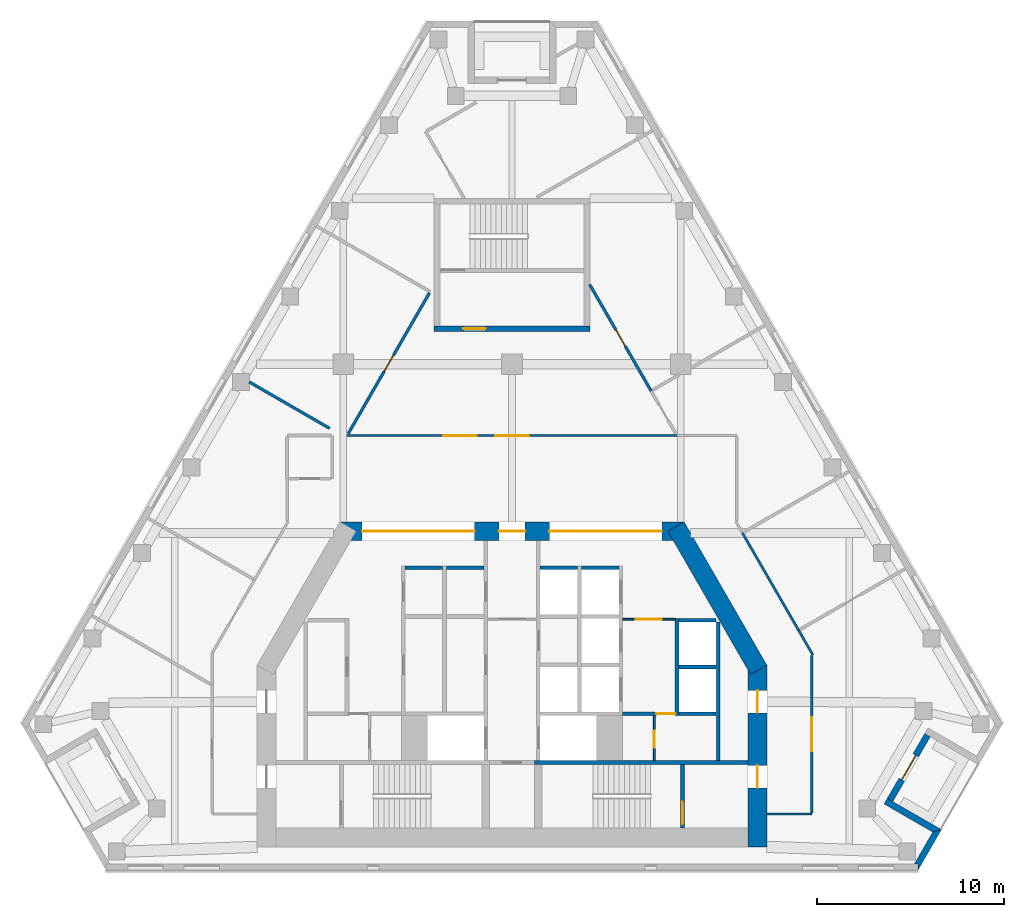
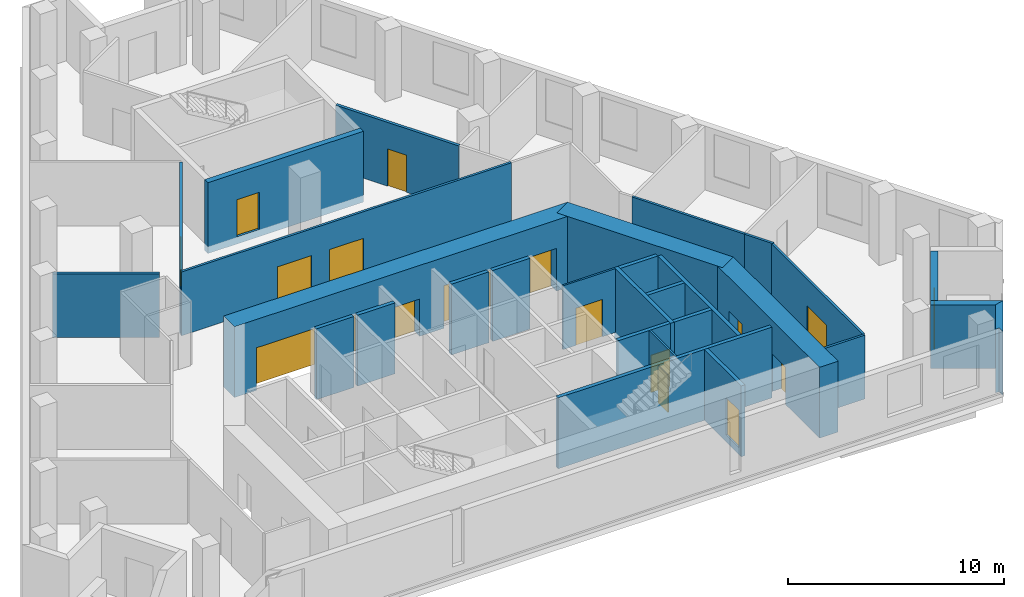
# One storey, part 4 of 7: 29 walls, 16 doors, 16 openings.
"""IFC4 building model written with IfcOpenShell, lengths in metres."""

import ifcopenshell
import ifcopenshell.guid

model = None  # the IFC model being written
_history = None  # IfcOwnerHistory: only IFC2X3 demands one
_inside = {}  # id of a spatial element -> (the spatial element, [elements in it])
_under = {}  # id of a project, library or spatial element -> (it, [spatial elements below it])
_declared = {}  # id of a project -> (the project, [libraries it declares])
_typed = {}  # id of a type object -> (the type object, [elements of that type])
_made_of = {}  # id of a material, layer set ... -> (it, [elements and type objects made of it])


def new_model(schema):
    """Start an empty IFC model of exactly this schema.

    Asked for "IFC4X3", IfcOpenShell would pick the latest addendum, in which some entities
    have other attributes; the version numbers below select the first issue.
    IFC2X3 requires an IfcOwnerHistory on every rooted entity: one is made here for all.
    """
    global model, _history
    if schema == "IFC4X3":
        model = ifcopenshell.file(schema_version=(4, 3, 0, 0))
    else:
        model = ifcopenshell.file(schema=schema)
    _inside.clear()
    _under.clear()
    _declared.clear()
    _typed.clear()
    _made_of.clear()
    _history = None
    if model.schema == "IFC2X3":
        org = make("IfcOrganization", Name="unknown")
        user = make(
            "IfcPersonAndOrganization",
            ThePerson=make("IfcPerson", FamilyName="unknown"),
            TheOrganization=org,
        )
        app = make(
            "IfcApplication",
            ApplicationDeveloper=org,
            Version="unknown",
            ApplicationFullName="unknown",
            ApplicationIdentifier="unknown",
        )
        _history = make(
            "IfcOwnerHistory",
            OwningUser=user,
            OwningApplication=app,
            ChangeAction="ADDED",
            CreationDate=0,
        )
    return model


def make(cls, **values):
    """One entity of the class cls with the attributes given. An attribute that is None is left unset."""
    return model.create_entity(
        cls, **{name: value for name, value in values.items() if value is not None}
    )


def rooted(cls, **values):
    """An entity with a GlobalId (a new one), such as an element, a storey or a relation."""
    return make(cls, GlobalId=ifcopenshell.guid.new(), OwnerHistory=_history, **values)


def si_unit(unit_type, name, prefix=None):
    """IfcSIUnit, for example si_unit("LENGTHUNIT", "METRE", prefix="MILLI")."""
    return make("IfcSIUnit", UnitType=unit_type, Prefix=prefix, Name=name)


def assignment(units):
    """IfcUnitAssignment: the units of a project."""
    return None if units is None else make("IfcUnitAssignment", Units=units)


def point(xyz):
    """IfcCartesianPoint."""
    return None if xyz is None else make("IfcCartesianPoint", Coordinates=xyz)


def direction(xyz):
    """IfcDirection."""
    return None if xyz is None else make("IfcDirection", DirectionRatios=xyz)


def frame(location, z_axis=None, x_axis=None):
    """IfcAxis2Placement3D, a coordinate frame: its origin and axes. An axis left out is left unset."""
    return make(
        "IfcAxis2Placement3D",
        Location=point(location),
        Axis=direction(z_axis),
        RefDirection=direction(x_axis),
    )


def frame_2d(location, x_axis=None):
    """IfcAxis2Placement2D, a coordinate frame in the plane: its origin and x axis."""
    return make(
        "IfcAxis2Placement2D", Location=point(location), RefDirection=direction(x_axis)
    )


def origin():
    """The frame at (0, 0, 0) with its axes left unset."""
    return frame((0.0, 0.0, 0.0))


def place(relative_to, where):
    """IfcLocalPlacement: puts the frame where relative to a parent placement (None: the world)."""
    return make(
        "IfcLocalPlacement", PlacementRelTo=relative_to, RelativePlacement=where
    )


def context(
    kind, dimensions, precision=None, world=None, true_north=None, identifier=None
):
    """IfcGeometricRepresentationContext, for example the 3D "Model" context."""
    return make(
        "IfcGeometricRepresentationContext",
        ContextIdentifier=identifier,
        ContextType=kind,
        CoordinateSpaceDimension=dimensions,
        Precision=precision,
        WorldCoordinateSystem=world,
        TrueNorth=true_north,
    )


def subcontext(parent, identifier, kind, view, scale=None):
    """IfcGeometricRepresentationSubContext, for example "Body" below "Model"."""
    return make(
        "IfcGeometricRepresentationSubContext",
        ContextIdentifier=identifier,
        ContextType=kind,
        ParentContext=parent,
        TargetScale=scale,
        TargetView=view,
    )


def project(units=None, contexts=None):
    """IfcProject with its units and contexts."""
    return rooted(
        "IfcProject",
        Name="project",
        RepresentationContexts=contexts,
        UnitsInContext=assignment(units),
    )


def spatial(cls, under=None, at=None, **own):
    """A site, building, storey or space (cls), placed at a placement, below another one or the project."""
    s = rooted(cls, ObjectPlacement=at, **own)
    if under is not None:
        _under.setdefault(under.id(), (under, []))[1].append(s)
    return s


def polyline(points):
    """IfcPolyline through the points."""
    return make("IfcPolyline", Points=[point(p) for p in points])


def profile(cls, at=None, kind="AREA", **sizes):
    """A parametric profile (cls). Its sizes go by their IFC names, for example OverallWidth=200.0."""
    return make(cls, ProfileType=kind, Position=at, **sizes)


def rectangle(**sizes):
    """IfcRectangleProfileDef."""
    return profile("IfcRectangleProfileDef", **sizes)


def outline(outer, holes=None, kind="AREA"):
    """IfcArbitraryClosedProfileDef: a profile drawn as a closed curve; with holes, ...WithVoids."""
    if holes is None:
        return make("IfcArbitraryClosedProfileDef", ProfileType=kind, OuterCurve=outer)
    return make(
        "IfcArbitraryProfileDefWithVoids",
        ProfileType=kind,
        OuterCurve=outer,
        InnerCurves=holes,
    )


def extrude(swept, where, along, depth):
    """IfcExtrudedAreaSolid: the profile swept, set in the frame where, extruded along a direction by depth."""
    return make(
        "IfcExtrudedAreaSolid",
        SweptArea=swept,
        Position=where,
        ExtrudedDirection=direction(along),
        Depth=depth,
    )


def shape(context_of_items, identifier, shape_type, items):
    """IfcShapeRepresentation: the items that make up one representation, for example the "Body"."""
    return make(
        "IfcShapeRepresentation",
        ContextOfItems=context_of_items,
        RepresentationIdentifier=identifier,
        RepresentationType=shape_type,
        Items=items,
    )


def material(Name=None, Category=None):
    """IfcMaterial."""
    return make("IfcMaterial", Name=Name, Category=Category)


def layer(
    of_material, thickness, ventilated=None, Name=None, Category=None, Priority=None
):
    """IfcMaterialLayer: one layer of a wall or slab, of a material (None: an air gap)."""
    return make(
        "IfcMaterialLayer",
        Material=of_material,
        LayerThickness=thickness,
        IsVentilated=ventilated,
        Name=Name,
        Category=Category,
        Priority=Priority,
    )


def layer_set(layers, Name=None):
    """IfcMaterialLayerSet."""
    return make("IfcMaterialLayerSet", MaterialLayers=layers, LayerSetName=Name)


def made_of(thing, what):
    """Note that an element or type object is made of a material, layer set ...; save() writes the relation."""
    if what is not None:
        _made_of.setdefault(what.id(), (what, []))[1].append(thing)
    return thing


def type_object(cls, material=None, **own):
    """A type object (cls), such as IfcWallType, which elements share."""
    return made_of(rooted(cls, **own), material)


def element(
    cls,
    number,
    at=None,
    inside=None,
    cuts=None,
    type_object=None,
    material=None,
    context=None,
    identifier="Body",
    shape_type=None,
    held_by="IfcProductDefinitionShape",
    body=None,
    shapes=None,
    **own,
):
    """One element of the class cls, such as IfcWall. Its Tag is "e" and its number.

    at: its placement. inside: the storey or other place that contains it. cuts: it is an
    opening in that element (IfcRelVoidsElement). A single representation is given by context,
    identifier, shape_type and body (its items); several are given by shapes. held_by: the class
    of the entity that holds the representations. save() writes the other relations.
    """
    e = rooted(cls, Tag="e%d" % number, ObjectPlacement=at, **own)
    if body is not None:
        shapes = [shape(context, identifier, shape_type, body)]
    if shapes is not None:
        e.Representation = make(held_by, Representations=shapes)
    if inside is not None:
        _inside.setdefault(inside.id(), (inside, []))[1].append(e)
    if cuts is not None:
        rooted(
            "IfcRelVoidsElement", RelatingBuildingElement=cuts, RelatedOpeningElement=e
        )
    if type_object is not None:
        _typed.setdefault(type_object.id(), (type_object, []))[1].append(e)
    return made_of(e, material)


def fill(opening, filler):
    """IfcRelFillsElement: the door or window that sits in an opening."""
    return rooted(
        "IfcRelFillsElement",
        RelatingOpeningElement=opening,
        RelatedBuildingElement=filler,
    )


def aggregate(whole, parts):
    """IfcRelAggregates: a whole, such as a stair, and the parts it consists of."""
    return rooted("IfcRelAggregates", RelatingObject=whole, RelatedObjects=parts)


def save(model, path):
    """Write the relations noted so far, then the file.

    IfcRelAggregates (storeys below a building ...), IfcRelContainedInSpatialStructure (elements
    in a storey), IfcRelDefinesByType, IfcRelAssociatesMaterial and IfcRelDeclares: one each for
    every whole, place, type object, material and project.
    """
    for whole, parts in _under.values():
        aggregate(whole, parts)
    for where, things in _inside.values():
        rooted(
            "IfcRelContainedInSpatialStructure",
            RelatedElements=things,
            RelatingStructure=where,
        )
    for kind, things in _typed.values():
        rooted("IfcRelDefinesByType", RelatedObjects=things, RelatingType=kind)
    for what, things in _made_of.values():
        rooted("IfcRelAssociatesMaterial", RelatedObjects=things, RelatingMaterial=what)
    for by, libraries in _declared.values():
        rooted("IfcRelDeclares", RelatingContext=by, RelatedDefinitions=libraries)
    model.write(path)


model = new_model("IFC4")

# Units and contexts
model_context = context("Model", 3, precision=1e-05, world=origin(), true_north=direction((0.0, 1.0)))
body_context = subcontext(model_context, "Body", "Model", "MODEL_VIEW")
ifc_project = project(units=[si_unit("LENGTHUNIT", "METRE"), si_unit("AREAUNIT", "SQUARE_METRE"), si_unit("VOLUMEUNIT", "CUBIC_METRE"), si_unit("PLANEANGLEUNIT", "RADIAN"), si_unit("MASSUNIT", "GRAM", prefix="KILO")], contexts=[model_context])

# Site, building, storey
site_placement = place(None, origin())
site = spatial("IfcSite", under=ifc_project, at=site_placement, CompositionType="ELEMENT")
building_placement = place(site_placement, origin())
building = spatial("IfcBuilding", under=site, at=building_placement, Name="Fogline Exchange Tower", CompositionType="ELEMENT")
storey_placement = place(building_placement, frame((0.0, 0.0, 247.5)))
storey = spatial("IfcBuildingStorey", under=building, at=storey_placement, Name="L56", CompositionType="ELEMENT", Elevation=247.5)

# Wall, opening, door
ifc_material_1 = material(Name="Blockwork partition", Category="masonry")
ifc_layer_1 = layer(ifc_material_1, 0.10009765625)
ifc_layer_set_1 = layer_set([ifc_layer_1], Name="CW10")
wall_type_1 = type_object("IfcWallType", Name="CW10", PredefinedType="PARTITIONING", material=ifc_layer_set_1)
wall_1_placement = place(storey_placement, frame((5.89990234375, 13.39990234375, 0.0), z_axis=(0.0, 0.0, 1.0), x_axis=(1.0, 0.0, 0.0)))
wall_1 = element("IfcWall", 1, at=wall_1_placement, inside=storey, type_object=wall_type_1, Name="Lift lobby partition", PredefinedType="PARTITIONING", context=body_context, shape_type="SweptSolid", body=[
    extrude(rectangle(XDim=2.800048828125, YDim=0.10009765625, at=frame_2d((1.39990234375, 0.0))), origin(), (0.0, 0.0, 1.0), 3.60009765625),
])
opening_1_placement = place(wall_1_placement, frame((0.699951171875, 0.0, 0.0)))
opening_1 = element("IfcOpeningElement", 2, at=opening_1_placement, cuts=wall_1, Name="Opening T18-C013", PredefinedType="OPENING", context=body_context, shape_type="SweptSolid", body=[
    extrude(rectangle(XDim=1.39990234375, YDim=2.10009765625, at=frame_2d((0.699951171875, 1.050048828125))), frame((0.0, 0.06005859375, 0.0), z_axis=(0.0, -1.0, 0.0), x_axis=(1.0, 0.0, 0.0)), (0.0, 0.0, 1.0), 0.1201171875),
])
ifc_material_2 = material(Name="Steel and timber fire door", Category="steel")
door_type_1 = type_object("IfcDoorType", Name="D-LB1", OperationType="DOUBLE_DOOR_SINGLE_SWING", PredefinedType="DOOR", material=ifc_material_2)
door_1_placement = place(opening_1_placement, frame((1.39990234375, 0.0, 0.0), z_axis=(0.0, 0.0, 1.0), x_axis=(-1.0, 0.0, 0.0)))
door_1 = element("IfcDoor", 3, at=door_1_placement, inside=storey, type_object=door_type_1, Name="Door to lift lobby", OperationType="DOUBLE_DOOR_SINGLE_SWING", OverallHeight=2.10009765625, OverallWidth=1.39990234375, PredefinedType="DOOR", context=body_context, shape_type="SweptSolid", body=[
    extrude(rectangle(XDim=1.39990234375, YDim=2.10009765625, at=frame_2d((0.699951171875, 1.050048828125))), frame((0.0, 0.02490234375, 0.0), z_axis=(0.0, -1.0, 0.0), x_axis=(1.0, 0.0, 0.0)), (0.0, 0.0, 1.0), 0.050048828125),
])
fill(opening_1, door_1)

wall_2_placement = place(storey_placement, frame((7.60009765625, 5.85009765625, 0.0), z_axis=(0.0, 0.0, 1.0), x_axis=(0.0, 1.0, 0.0)))
wall_2 = element("IfcWall", 4, at=wall_2_placement, inside=storey, type_object=wall_type_1, Name="WC partition", PredefinedType="PARTITIONING", context=body_context, shape_type="SweptSolid", body=[
    extrude(rectangle(XDim=2.39990234375, YDim=0.10009765625, at=frame_2d((1.199951171875, 0.0))), origin(), (0.0, 0.0, 1.0), 3.60009765625),
])
opening_2_placement = place(wall_2_placement, frame((0.699951171875, 0.0, 0.0)))
opening_2 = element("IfcOpeningElement", 5, at=opening_2_placement, cuts=wall_2, Name="Opening T18-C015", PredefinedType="OPENING", context=body_context, shape_type="SweptSolid", body=[
    extrude(rectangle(XDim=0.89990234375, YDim=2.10009765625, at=frame_2d((0.449951171875, 1.050048828125))), frame((0.0, 0.06005859375, 0.0), z_axis=(0.0, -1.0, 0.0), x_axis=(1.0, 0.0, 0.0)), (0.0, 0.0, 1.0), 0.1201171875),
])
door_type_2 = type_object("IfcDoorType", Name="D-CS1", OperationType="SINGLE_SWING_RIGHT", PredefinedType="DOOR", material=ifc_material_2)
door_2_placement = place(opening_2_placement, origin())
door_2 = element("IfcDoor", 6, at=door_2_placement, inside=storey, type_object=door_type_2, Name="Door to Cleaner's Store", OperationType="SINGLE_SWING_LEFT", OverallHeight=2.10009765625, OverallWidth=0.89990234375, PredefinedType="DOOR", context=body_context, shape_type="SweptSolid", body=[
    extrude(rectangle(XDim=0.89990234375, YDim=2.10009765625, at=frame_2d((0.449951171875, 1.050048828125))), frame((0.0, 0.02490234375, 0.0), z_axis=(0.0, -1.0, 0.0), x_axis=(1.0, 0.0, 0.0)), (0.0, 0.0, 1.0), 0.050048828125),
])
fill(opening_2, door_2)

# Wall
ifc_material_3 = material(Name="Concrete C40", Category="concrete")
ifc_layer_2 = layer(ifc_material_3, 0.199951171875)
ifc_layer_set_2 = layer_set([ifc_layer_2], Name="CW20")
wall_type_2 = type_object("IfcWallType", Name="CW20", PredefinedType="SOLIDWALL", material=ifc_layer_set_2)
wall_3_placement = place(storey_placement, frame((11.0, 5.85009765625, 0.0), z_axis=(0.0, 0.0, 1.0), x_axis=(0.0, 1.0, 0.0)))
element("IfcWall", 7, at=wall_3_placement, inside=storey, type_object=wall_type_2, Name="Service room wall", PredefinedType="SOLIDWALL", context=body_context, shape_type="SweptSolid", body=[
    extrude(rectangle(XDim=7.39990234375, YDim=0.199951171875, at=frame_2d((3.699951171875, 0.0))), origin(), (0.0, 0.0, 1.0), 3.60009765625),
])

# Wall, opening, door
wall_4_placement = place(storey_placement, frame((5.89990234375, 8.35009765625, 0.0), z_axis=(0.0, 0.0, 1.0), x_axis=(1.0, 0.0, 0.0)))
wall_4 = element("IfcWall", 8, at=wall_4_placement, inside=storey, type_object=wall_type_2, Name="WC wall", PredefinedType="SOLIDWALL", context=body_context, shape_type="SweptSolid", body=[
    extrude(rectangle(XDim=2.800048828125, YDim=0.199951171875, at=frame_2d((1.39990234375, 0.0))), origin(), (0.0, 0.0, 1.0), 3.60009765625),
])
opening_3_placement = place(wall_4_placement, frame((1.800048828125, 0.0, 0.0)))
opening_3 = element("IfcOpeningElement", 9, at=opening_3_placement, cuts=wall_4, Name="Opening T18-C014", PredefinedType="OPENING", context=body_context, shape_type="SweptSolid", body=[
    extrude(rectangle(XDim=1.0, YDim=2.10009765625, at=frame_2d((0.5, 1.050048828125))), frame((0.0, 0.10986328125, 0.0), z_axis=(0.0, -1.0, 0.0), x_axis=(1.0, 0.0, 0.0)), (0.0, 0.0, 1.0), 0.219970703125),
])
door_type_3 = type_object("IfcDoorType", Name="D-WC1", OperationType="SINGLE_SWING_LEFT", PredefinedType="DOOR", material=ifc_material_2)
door_3_placement = place(opening_3_placement, frame((1.0, 0.0, 0.0), z_axis=(0.0, 0.0, 1.0), x_axis=(-1.0, 0.0, 0.0)))
door_3 = element("IfcDoor", 10, at=door_3_placement, inside=storey, type_object=door_type_3, Name="Door to Women's WC", OperationType="SINGLE_SWING_LEFT", OverallHeight=2.10009765625, OverallWidth=1.0, PredefinedType="DOOR", context=body_context, shape_type="SweptSolid", body=[
    extrude(rectangle(XDim=1.0, YDim=2.10009765625, at=frame_2d((0.5, 1.050048828125))), frame((0.0, 0.02490234375, 0.0), z_axis=(0.0, -1.0, 0.0), x_axis=(1.0, 0.0, 0.0)), (0.0, 0.0, 1.0), 0.050048828125),
])
fill(opening_3, door_3)

# Wall
ifc_layer_3 = layer(ifc_material_3, 0.199951171875)
ifc_layer_set_3 = layer_set([ifc_layer_3], Name="CW20R")
wall_type_3 = type_object("IfcWallType", Name="CW20R", PredefinedType="SOLIDWALL", material=ifc_layer_set_3)
wall_5_placement = place(storey_placement, frame((1.199951171875, 5.75, -0.39990234375), z_axis=(0.0, 0.0, 1.0), x_axis=(1.0, 0.0, 0.0)))
element("IfcWall", 11, at=wall_5_placement, inside=storey, type_object=wall_type_3, Name="Stair enclosure wall", PredefinedType="SOLIDWALL", context=body_context, shape_type="SweptSolid", body=[
    extrude(rectangle(XDim=11.400146484375, YDim=0.199951171875, at=frame_2d((5.7001953125, 0.0))), origin(), (0.0, 0.0, 1.0), 4.0),
])

# Wall, opening, door
wall_6_placement = place(storey_placement, frame((9.10009765625, 2.25, -0.39990234375), z_axis=(0.0, 0.0, 1.0), x_axis=(0.0, 1.0, 0.0)))
wall_6 = element("IfcWall", 12, at=wall_6_placement, inside=storey, type_object=wall_type_3, Name="Stair enclosure wall", PredefinedType="SOLIDWALL", context=body_context, shape_type="SweptSolid", body=[
    extrude(rectangle(XDim=3.39990234375, YDim=0.199951171875, at=frame_2d((1.699951171875, 0.0))), origin(), (0.0, 0.0, 1.0), 4.0),
])
opening_4_placement = place(wall_6_placement, frame((0.199951171875, 0.0, 0.39990234375)))
opening_4 = element("IfcOpeningElement", 13, at=opening_4_placement, cuts=wall_6, Name="Opening T18-C017", PredefinedType="OPENING", context=body_context, shape_type="SweptSolid", body=[
    extrude(rectangle(XDim=1.199951171875, YDim=2.10009765625, at=frame_2d((0.60009765625, 1.050048828125))), frame((0.0, 0.10986328125, 0.0), z_axis=(0.0, -1.0, 0.0), x_axis=(1.0, 0.0, 0.0)), (0.0, 0.0, 1.0), 0.219970703125),
])
door_type_4 = type_object("IfcDoorType", Name="D-ST1", OperationType="SINGLE_SWING_LEFT", PredefinedType="DOOR", material=ifc_material_2)
door_4_placement = place(opening_4_placement, origin())
door_4 = element("IfcDoor", 14, at=door_4_placement, inside=storey, type_object=door_type_4, Name="Stair door ST2", OperationType="SINGLE_SWING_LEFT", OverallHeight=2.10009765625, OverallWidth=1.199951171875, PredefinedType="DOOR", context=body_context, shape_type="SweptSolid", body=[
    extrude(rectangle(XDim=1.199951171875, YDim=2.10009765625, at=frame_2d((0.60009765625, 1.050048828125))), frame((0.0, 0.02490234375, 0.0), z_axis=(0.0, -1.0, 0.0), x_axis=(1.0, 0.0, 0.0)), (0.0, 0.0, 1.0), 0.050048828125),
])
fill(opening_4, door_4)

# Walls
ifc_layer_4 = layer(ifc_material_3, 0.199951171875)
ifc_layer_set_4 = layer_set([ifc_layer_4], Name="CW20S")
wall_type_4 = type_object("IfcWallType", Name="CW20S", PredefinedType="SOLIDWALL", material=ifc_layer_set_4)
wall_7_placement = place(storey_placement, frame((8.800048828125, 8.25, -0.39990234375), z_axis=(0.0, 0.0, 1.0), x_axis=(0.0, 1.0, 0.0)))
element("IfcWall", 15, at=wall_7_placement, inside=storey, type_object=wall_type_4, Name="Lift shaft wall", PredefinedType="SOLIDWALL", context=body_context, shape_type="SweptSolid", body=[
    extrude(rectangle(XDim=5.199951171875, YDim=0.199951171875, at=frame_2d((2.60009765625, 0.0))), origin(), (0.0, 0.0, 1.0), 4.0),
])
for number, where, z_axis, x_axis, name in (
    (16, (8.89990234375, 8.35009765625, -0.39990234375), (0.0, 0.0, 1.0), (1.0, 0.0, 0.0), "Lift shaft wall"),
    (17, (-5.699951171875, 16.14990234375, -0.39990234375), (0.0, 0.0, 1.0), (1.0, 0.0, 0.0), "Lift shaft wall"),
    (18, (-3.5, 16.14990234375, -0.39990234375), (0.0, 0.0, 1.0), (1.0, 0.0, 0.0), "Lift shaft wall"),
    (19, (8.89990234375, 10.85009765625, -0.39990234375), (0.0, 0.0, 1.0), (1.0, 0.0, 0.0), "Lift shaft wall"),
    (20, (8.89990234375, 13.35009765625, -0.39990234375), (0.0, 0.0, 1.0), (1.0, 0.0, 0.0), "Lift shaft wall"),
    (21, (3.699951171875, 16.14990234375, -0.39990234375), (0.0, 0.0, 1.0), (1.0, 0.0, 0.0), "Lift shaft wall"),
    (22, (1.5, 16.14990234375, -0.39990234375), (0.0, 0.0, 1.0), (1.0, 0.0, 0.0), "Lift shaft wall"),
):
    element("IfcWall", number, at=place(storey_placement, frame(where, z_axis=z_axis, x_axis=x_axis)), inside=storey, type_object=wall_type_4, Name=name, PredefinedType="SOLIDWALL", context=body_context, shape_type="SweptSolid", body=[
        extrude(rectangle(XDim=2.0, YDim=0.199951171875, at=frame_2d((1.0, 0.0))), origin(), (0.0, 0.0, 1.0), 4.0),
    ])

# Wall, opening, door
ifc_layer_5 = layer(ifc_material_3, 0.300048828125)
ifc_layer_set_5 = layer_set([ifc_layer_5], Name="CW30")
wall_type_5 = type_object("IfcWallType", Name="CW30", PredefinedType="SOLIDWALL", material=ifc_layer_set_5)
wall_8_placement = place(storey_placement, frame((-4.14990234375, 28.906982421875, -0.39990234375), z_axis=(0.0, 0.0, 1.0), x_axis=(1.0, 0.0, 0.0)))
wall_8 = element("IfcWall", 23, at=wall_8_placement, inside=storey, type_object=wall_type_5, Name="Stair enclosure wall ST3", PredefinedType="SOLIDWALL", context=body_context, shape_type="SweptSolid", body=[
    extrude(rectangle(XDim=8.2998046875, YDim=0.300048828125, at=frame_2d((4.14990234375, 0.0))), origin(), (0.0, 0.0, 1.0), 4.0),
])
opening_5_placement = place(wall_8_placement, frame((1.550048828125, 0.0, 0.39990234375)))
opening_5 = element("IfcOpeningElement", 24, at=opening_5_placement, cuts=wall_8, Name="Opening T18-C023", PredefinedType="OPENING", context=body_context, shape_type="SweptSolid", body=[
    extrude(rectangle(XDim=1.199951171875, YDim=2.10009765625, at=frame_2d((0.60009765625, 1.050048828125))), frame((0.0, 0.16015625, 0.0), z_axis=(0.0, -1.0, 0.0), x_axis=(1.0, 0.0, 0.0)), (0.0, 0.0, 1.0), 0.320068359375),
])
door_type_5 = type_object("IfcDoorType", Name="D-FR1", OperationType="SINGLE_SWING_RIGHT", PredefinedType="DOOR", material=ifc_material_2)
door_5_placement = place(opening_5_placement, origin())
door_5 = element("IfcDoor", 25, at=door_5_placement, inside=storey, type_object=door_type_5, Name="Front room door ST3", OperationType="SINGLE_SWING_LEFT", OverallHeight=2.10009765625, OverallWidth=1.199951171875, PredefinedType="DOOR", context=body_context, shape_type="SweptSolid", body=[
    extrude(rectangle(XDim=1.199951171875, YDim=2.10009765625, at=frame_2d((0.60009765625, 1.050048828125))), frame((0.0, 0.02490234375, 0.0), z_axis=(0.0, -1.0, 0.0), x_axis=(1.0, 0.0, 0.0)), (0.0, 0.0, 1.0), 0.050048828125),
])
fill(opening_5, door_5)

# Walls
ifc_material_4 = material(Name="Brick masonry", Category="masonry")
ifc_layer_6 = layer(ifc_material_4, 0.340087890625)
ifc_layer_set_6 = layer_set([ifc_layer_6], Name="FW1")
wall_type_6 = type_object("IfcWallType", Name="FW1", PredefinedType="SOLIDWALL", material=ifc_layer_set_6)
wall_9_placement = place(storey_placement, origin())
element("IfcWall", 26, at=wall_9_placement, inside=storey, type_object=wall_type_6, Name="Brick wall L56 SE-c1", PredefinedType="SOLIDWALL", context=body_context, shape_type="SweptSolid", body=[
    extrude(outline(polyline([(22.92041015625, 2.165771484375), (21.66943359375, -0.001220703125), (21.668701171875, -0.0009765625), (21.668701171875, 0.33935546875), (21.471923828125, 0.33935546875), (22.45458984375, 2.041015625), (22.920166015625, 2.166015625), (22.92041015625, 2.165771484375)])), origin(), (0.0, 0.0, 1.0), 3.60009765625),
])
wall_10_placement = place(storey_placement, origin())
element("IfcWall", 27, at=wall_10_placement, inside=storey, type_object=wall_type_6, Name="Brick wall L56 SE-s1", PredefinedType="SOLIDWALL", context=body_context, shape_type="SweptSolid", body=[
    extrude(outline(polyline([(19.85595703125, 3.540283203125), (20.026611328125, 3.8359375), (20.321533203125, 3.66552734375), (22.920654296875, 2.1650390625), (22.92041015625, 2.164794921875), (22.454833984375, 2.0400390625), (19.85595703125, 3.540283203125)])), origin(), (0.0, 0.0, 1.0), 3.60009765625),
])

# Wall, opening, door
wall_11_placement = place(storey_placement, frame((20.174072265625, 3.75, 0.0), z_axis=(0.0, 0.0, 1.0), x_axis=(0.49999894854, 0.866026010844, 0.0)))
wall_11 = element("IfcWall", 28, at=wall_11_placement, inside=storey, type_object=wall_type_6, Name="Brick wall L56 SE-bk", PredefinedType="SOLIDWALL", context=body_context, shape_type="SweptSolid", body=[
    extrude(rectangle(XDim=4.0, YDim=0.340087890625, at=frame_2d((2.0, 0.0))), origin(), (0.0, 0.0, 1.0), 3.60009765625),
])
opening_6_placement = place(wall_11_placement, frame((1.25, 0.0, 0.0)))
opening_6 = element("IfcOpeningElement", 29, at=opening_6_placement, cuts=wall_11, Name="Opening T18-E081", PredefinedType="OPENING", context=body_context, shape_type="SweptSolid", body=[
    extrude(rectangle(XDim=1.5, YDim=2.39990234375, at=frame_2d((0.75, 1.199951171875))), frame((0.0, 0.18017578125, 0.0), z_axis=(0.0, -1.0, 0.0), x_axis=(1.0, 0.0, 0.0)), (0.0, 0.0, 1.0), 0.360107421875),
])
ifc_material_5 = material(Name="Aluminium and glass", Category="aluminium")
door_type_6 = type_object("IfcDoorType", Name="ED4", OperationType="SINGLE_SWING_LEFT", PredefinedType="DOOR", material=ifc_material_5)
door_6_placement = place(opening_6_placement, frame((1.5, 0.0, 0.0), z_axis=(0.0, 0.0, 1.0), x_axis=(-1.0, 0.0, 0.0)))
door_6 = element("IfcDoor", 30, at=door_6_placement, inside=storey, type_object=door_type_6, Name="Balcony door L56 SE", OperationType="DOUBLE_DOOR_SINGLE_SWING", OverallHeight=2.39990234375, OverallWidth=1.5, PredefinedType="DOOR", context=body_context, shape_type="SweptSolid", body=[
    extrude(rectangle(XDim=1.5, YDim=2.39990234375, at=frame_2d((0.75, 1.199951171875))), frame((0.0, 0.02490234375, 0.0), z_axis=(0.0, -1.0, 0.0), x_axis=(1.0, 0.0, 0.0)), (0.0, 0.0, 1.0), 0.050048828125),
])
fill(opening_6, door_6)

# Wall
ifc_material_6 = material(Name="Plasterboard corridor partition with mineral wool, 2 layers each side")
ifc_layer_7 = layer(ifc_material_6, 0.125)
ifc_layer_set_7 = layer_set([ifc_layer_7], Name="PW2")
wall_type_7 = type_object("IfcWallType", Name="PW2", PredefinedType="PARTITIONING", material=ifc_layer_set_7)
wall_12_placement = place(storey_placement, frame((15.296630859375, 12.806640625, 0.0), z_axis=(0.0, 0.0, 1.0), x_axis=(0.50003863285, -0.866003097949, 0.0)))
element("IfcWall", 31, at=wall_12_placement, inside=storey, type_object=wall_type_7, Name="wall-L56-W002", PredefinedType="PARTITIONING", context=body_context, shape_type="SweptSolid", body=[
    extrude(rectangle(XDim=1.51513671875, YDim=0.125, at=frame_2d((0.757568359375, 0.0))), origin(), (0.0, 0.0, 1.0), 3.60009765625),
])

# Wall, opening, door
wall_13_placement = place(storey_placement, frame((16.0, 11.46337890625, 0.0), z_axis=(0.0, 0.0, 1.0), x_axis=(0.0, -1.0, 0.0)))
wall_13 = element("IfcWall", 32, at=wall_13_placement, inside=storey, type_object=wall_type_7, Name="wall-L56-W003", PredefinedType="PARTITIONING", context=body_context, shape_type="SweptSolid", body=[
    extrude(rectangle(XDim=8.40087890625, YDim=0.125, at=frame_2d((4.200439453125, 0.0))), origin(), (0.0, 0.0, 1.0), 3.60009765625),
])
opening_7_placement = place(wall_13_placement, frame((3.300537109375, 0.0, 0.0)))
opening_7 = element("IfcOpeningElement", 33, at=opening_7_placement, cuts=wall_13, Name="Opening T18-D001", PredefinedType="OPENING", context=body_context, shape_type="SweptSolid", body=[
    extrude(rectangle(XDim=1.800048828125, YDim=2.10009765625, at=frame_2d((0.89990234375, 1.050048828125))), frame((0.0, 0.072509765625, 0.0), z_axis=(0.0, -1.0, 0.0), x_axis=(1.0, 0.0, 0.0)), (0.0, 0.0, 1.0), 0.14501953125),
])
ifc_material_7 = material(Name="Fire-rated timber door leaves with steel frame", Category="steel")
door_type_7 = type_object("IfcDoorType", Name="D4", OperationType="DOUBLE_DOOR_SINGLE_SWING", PredefinedType="DOOR", material=ifc_material_7)
door_7_placement = place(opening_7_placement, frame((1.800048828125, 0.0, 0.0), z_axis=(0.0, 0.0, 1.0), x_axis=(-1.0, 0.0, 0.0)))
door_7 = element("IfcDoor", 34, at=door_7_placement, inside=storey, type_object=door_type_7, Name="door-L56-D001", OperationType="DOUBLE_DOOR_SINGLE_SWING", OverallHeight=2.10009765625, OverallWidth=1.800048828125, PredefinedType="DOOR", context=body_context, shape_type="SweptSolid", body=[
    extrude(rectangle(XDim=1.800048828125, YDim=2.10009765625, at=frame_2d((0.89990234375, 1.050048828125))), frame((0.0, 0.02490234375, 0.0), z_axis=(0.0, -1.0, 0.0), x_axis=(1.0, 0.0, 0.0)), (0.0, 0.0, 1.0), 0.050048828125),
])
fill(opening_7, door_7)

# Walls
wall_14_placement = place(storey_placement, frame((16.0, 3.0, 0.0), z_axis=(0.0, 0.0, 1.0), x_axis=(-1.0, 0.0, 0.0)))
element("IfcWall", 35, at=wall_14_placement, inside=storey, type_object=wall_type_7, Name="wall-L56-W004", PredefinedType="PARTITIONING", context=body_context, shape_type="SweptSolid", body=[
    extrude(rectangle(XDim=2.39990234375, YDim=0.125, at=frame_2d((1.199951171875, 0.0))), origin(), (0.0, 0.0, 1.0), 3.60009765625),
])
wall_15_placement = place(storey_placement, frame((12.296630859375, 18.002685546875, 0.0), z_axis=(0.0, 0.0, 1.0), x_axis=(0.500007758305, -0.866020924479, 0.0)))
element("IfcWall", 36, at=wall_15_placement, inside=storey, type_object=wall_type_7, Name="wall-L56-W005", PredefinedType="PARTITIONING", context=body_context, shape_type="SweptSolid", body=[
    extrude(rectangle(XDim=6.0, YDim=0.125, at=frame_2d((3.0, 0.0))), origin(), (0.0, 0.0, 1.0), 3.60009765625),
])

# Wall, openings, doors
wall_16_placement = place(storey_placement, frame((-8.79931640625, 23.199951171875, 0.0), z_axis=(0.0, 0.0, 1.0), x_axis=(1.0, 0.0, 0.0)))
wall_16 = element("IfcWall", 37, at=wall_16_placement, inside=storey, type_object=wall_type_7, Name="wall-L56-W008", PredefinedType="PARTITIONING", context=body_context, shape_type="SweptSolid", body=[
    extrude(rectangle(XDim=17.5986328125, YDim=0.125, at=frame_2d((8.79931640625, 0.0))), origin(), (0.0, 0.0, 1.0), 3.60009765625),
])
opening_8_placement = place(wall_16_placement, frame((5.11767578125, 0.0, 0.0)))
opening_8 = element("IfcOpeningElement", 38, at=opening_8_placement, cuts=wall_16, Name="Opening T18-D002", PredefinedType="OPENING", context=body_context, shape_type="SweptSolid", body=[
    extrude(rectangle(XDim=1.800048828125, YDim=2.10009765625, at=frame_2d((0.89990234375, 1.050048828125))), frame((0.0, 0.072509765625, 0.0), z_axis=(0.0, -1.0, 0.0), x_axis=(1.0, 0.0, 0.0)), (0.0, 0.0, 1.0), 0.14501953125),
])
opening_9_placement = place(wall_16_placement, frame((7.8994140625, 0.0, 0.0)))
opening_9 = element("IfcOpeningElement", 39, at=opening_9_placement, cuts=wall_16, Name="Opening T18-D003", PredefinedType="OPENING", context=body_context, shape_type="SweptSolid", body=[
    extrude(rectangle(XDim=1.800048828125, YDim=2.10009765625, at=frame_2d((0.89990234375, 1.050048828125))), frame((0.0, 0.072509765625, 0.0), z_axis=(0.0, -1.0, 0.0), x_axis=(1.0, 0.0, 0.0)), (0.0, 0.0, 1.0), 0.14501953125),
])
door_8_placement = place(opening_8_placement, frame((1.800048828125, 0.0, 0.0), z_axis=(0.0, 0.0, 1.0), x_axis=(-1.0, 0.0, 0.0)))
door_8 = element("IfcDoor", 40, at=door_8_placement, inside=storey, type_object=door_type_7, Name="door-L56-D002", OperationType="DOUBLE_DOOR_SINGLE_SWING", OverallHeight=2.10009765625, OverallWidth=1.800048828125, PredefinedType="DOOR", context=body_context, shape_type="SweptSolid", body=[
    extrude(rectangle(XDim=1.800048828125, YDim=2.10009765625, at=frame_2d((0.89990234375, 1.050048828125))), frame((0.0, 0.02490234375, 0.0), z_axis=(0.0, -1.0, 0.0), x_axis=(1.0, 0.0, 0.0)), (0.0, 0.0, 1.0), 0.050048828125),
])
fill(opening_8, door_8)
door_9_placement = place(opening_9_placement, frame((1.800048828125, 0.0, 0.0), z_axis=(0.0, 0.0, 1.0), x_axis=(-1.0, 0.0, 0.0)))
door_9 = element("IfcDoor", 41, at=door_9_placement, inside=storey, type_object=door_type_7, Name="door-L56-D003", OperationType="DOUBLE_DOOR_SINGLE_SWING", OverallHeight=2.10009765625, OverallWidth=1.800048828125, PredefinedType="DOOR", context=body_context, shape_type="SweptSolid", body=[
    extrude(rectangle(XDim=1.800048828125, YDim=2.10009765625, at=frame_2d((0.89990234375, 1.050048828125))), frame((0.0, 0.02490234375, 0.0), z_axis=(0.0, -1.0, 0.0), x_axis=(1.0, 0.0, 0.0)), (0.0, 0.0, 1.0), 0.050048828125),
])
fill(opening_9, door_9)

# Wall, opening, door
ifc_material_8 = material(Name="Plasterboard demising partition with mineral wool and acoustic board")
ifc_layer_8 = layer(ifc_material_8, 0.14990234375)
ifc_layer_set_8 = layer_set([ifc_layer_8], Name="PW3")
wall_type_8 = type_object("IfcWallType", Name="PW3", PredefinedType="PARTITIONING", material=ifc_layer_set_8)
wall_17_placement = place(storey_placement, frame((7.424072265625, 25.581787109375, 0.0), z_axis=(0.0, 0.0, 1.0), x_axis=(-0.499992467015, 0.866029752912, 0.0)))
wall_17 = element("IfcWall", 42, at=wall_17_placement, inside=storey, type_object=wall_type_8, Name="wall-L56-W023", PredefinedType="PARTITIONING", context=body_context, shape_type="SweptSolid", body=[
    extrude(rectangle(XDim=6.54833984375, YDim=0.14990234375, at=frame_2d((3.274169921875, 0.0))), origin(), (0.0, 0.0, 1.0), 3.60009765625),
])
opening_10_placement = place(wall_17_placement, frame((2.774169921875, 0.0, 0.0)))
opening_10 = element("IfcOpeningElement", 43, at=opening_10_placement, cuts=wall_17, Name="Opening T18-D009", PredefinedType="OPENING", context=body_context, shape_type="SweptSolid", body=[
    extrude(rectangle(XDim=1.0, YDim=2.10009765625, at=frame_2d((0.5, 1.050048828125))), frame((0.0, 0.0849609375, 0.0), z_axis=(0.0, -1.0, 0.0), x_axis=(1.0, 0.0, 0.0)), (0.0, 0.0, 1.0), 0.169921875),
])
ifc_material_9 = material(Name="Fire-rated timber door leaf with steel frame", Category="steel")
door_type_8 = type_object("IfcDoorType", Name="D3", OperationType="SINGLE_SWING_LEFT", PredefinedType="DOOR", material=ifc_material_9)
door_10_placement = place(opening_10_placement, frame((1.0, 0.0, 0.0), z_axis=(0.0, 0.0, 1.0), x_axis=(-1.0, 0.0, 0.0)))
door_10 = element("IfcDoor", 44, at=door_10_placement, inside=storey, type_object=door_type_8, Name="door-L56-D009", OperationType="SINGLE_SWING_RIGHT", OverallHeight=2.10009765625, OverallWidth=1.0, PredefinedType="DOOR", context=body_context, shape_type="SweptSolid", body=[
    extrude(rectangle(XDim=1.0, YDim=2.10009765625, at=frame_2d((0.5, 1.050048828125))), frame((0.0, 0.02490234375, 0.0), z_axis=(0.0, -1.0, 0.0), x_axis=(1.0, 0.0, 0.0)), (0.0, 0.0, 1.0), 0.050048828125),
])
fill(opening_10, door_10)

wall_18_placement = place(storey_placement, frame((-8.7412109375, 23.30029296875, 0.0), z_axis=(0.0, 0.0, 1.0), x_axis=(0.499998569178, 0.866026229868, 0.0)))
wall_18 = element("IfcWall", 45, at=wall_18_placement, inside=storey, type_object=wall_type_8, Name="wall-L56-W026", PredefinedType="PARTITIONING", context=body_context, shape_type="SweptSolid", body=[
    extrude(rectangle(XDim=8.67431640625, YDim=0.14990234375, at=frame_2d((4.337158203125, 0.0))), origin(), (0.0, 0.0, 1.0), 3.60009765625),
])
opening_11_placement = place(wall_18_placement, frame((3.837158203125, 0.0, 0.0)))
opening_11 = element("IfcOpeningElement", 46, at=opening_11_placement, cuts=wall_18, Name="Opening T18-D011", PredefinedType="OPENING", context=body_context, shape_type="SweptSolid", body=[
    extrude(rectangle(XDim=1.0, YDim=2.10009765625, at=frame_2d((0.5, 1.050048828125))), frame((0.0, 0.0849609375, 0.0), z_axis=(0.0, -1.0, 0.0), x_axis=(1.0, 0.0, 0.0)), (0.0, 0.0, 1.0), 0.169921875),
])
door_11_placement = place(opening_11_placement, origin())
door_11 = element("IfcDoor", 47, at=door_11_placement, inside=storey, type_object=door_type_8, Name="door-L56-D011", OperationType="SINGLE_SWING_LEFT", OverallHeight=2.10009765625, OverallWidth=1.0, PredefinedType="DOOR", context=body_context, shape_type="SweptSolid", body=[
    extrude(rectangle(XDim=1.0, YDim=2.10009765625, at=frame_2d((0.5, 1.050048828125))), frame((0.0, 0.02490234375, 0.0), z_axis=(0.0, -1.0, 0.0), x_axis=(1.0, 0.0, 0.0)), (0.0, 0.0, 1.0), 0.050048828125),
])
fill(opening_11, door_11)

# Wall
wall_19_placement = place(storey_placement, frame((-9.732666015625, 23.58349609375, 0.0), z_axis=(0.0, 0.0, 1.0), x_axis=(-0.866045937672, 0.499964432576, 0.0)))
element("IfcWall", 48, at=wall_19_placement, inside=storey, type_object=wall_type_8, Name="wall-L56-W028", PredefinedType="PARTITIONING", context=body_context, shape_type="SweptSolid", body=[
    extrude(rectangle(XDim=4.948974609375, YDim=0.14990234375, at=frame_2d((2.474609375, 0.0))), origin(), (0.0, 0.0, 1.0), 3.60009765625),
])

# Wall, openings, doors
ifc_material_10 = material(Name="Concrete C60", Category="concrete")
ifc_layer_9 = layer(ifc_material_10, 1.0)
ifc_layer_set_9 = layer_set([ifc_layer_9], Name="SW03")
wall_type_9 = type_object("IfcWallType", Name="SW03", PredefinedType="SHEAR", material=ifc_layer_set_9)
wall_20_placement = place(storey_placement, frame((13.10009765625, 1.25, 0.0), z_axis=(0.0, 0.0, 1.0), x_axis=(0.0, 1.0, 0.0)))
wall_20 = element("IfcWall", 49, at=wall_20_placement, inside=storey, type_object=wall_type_9, Name="L56-W902", PredefinedType="SHEAR", context=body_context, shape_type="SweptSolid", body=[
    extrude(rectangle(XDim=9.6953125, YDim=1.0, at=frame_2d((4.84765625, 0.0))), origin(), (0.0, 0.0, 1.0), 4.0),
])
opening_12_placement = place(wall_20_placement, frame((3.14990234375, 0.0, 0.0)))
opening_12 = element("IfcOpeningElement", 50, at=opening_12_placement, cuts=wall_20, Name="Opening T18-C016", PredefinedType="OPENING", context=body_context, shape_type="SweptSolid", body=[
    extrude(rectangle(XDim=1.199951171875, YDim=2.10009765625, at=frame_2d((0.60009765625, 1.050048828125))), frame((0.0, 0.510009765625, 0.0), z_axis=(0.0, -1.0, 0.0), x_axis=(1.0, 0.0, 0.0)), (0.0, 0.0, 1.0), 1.02001953125),
])
opening_13_placement = place(wall_20_placement, frame((7.14990234375, 0.0, 0.0)))
opening_13 = element("IfcOpeningElement", 51, at=opening_13_placement, cuts=wall_20, Name="Opening T18-C018", PredefinedType="OPENING", context=body_context, shape_type="SweptSolid", body=[
    extrude(rectangle(XDim=1.199951171875, YDim=2.10009765625, at=frame_2d((0.60009765625, 1.050048828125))), frame((0.0, 0.510009765625, 0.0), z_axis=(0.0, -1.0, 0.0), x_axis=(1.0, 0.0, 0.0)), (0.0, 0.0, 1.0), 1.02001953125),
])
door_12_placement = place(opening_12_placement, origin())
door_12 = element("IfcDoor", 52, at=door_12_placement, inside=storey, type_object=door_type_5, Name="Front room door ST2", OperationType="SINGLE_SWING_RIGHT", OverallHeight=2.10009765625, OverallWidth=1.199951171875, PredefinedType="DOOR", context=body_context, shape_type="SweptSolid", body=[
    extrude(rectangle(XDim=1.199951171875, YDim=2.10009765625, at=frame_2d((0.60009765625, 1.050048828125))), frame((0.0, 0.02490234375, 0.0), z_axis=(0.0, -1.0, 0.0), x_axis=(1.0, 0.0, 0.0)), (0.0, 0.0, 1.0), 0.050048828125),
])
fill(opening_12, door_12)
door_type_9 = type_object("IfcDoorType", Name="D-SV1", OperationType="SINGLE_SWING_LEFT", PredefinedType="DOOR", material=ifc_material_2)
door_13_placement = place(opening_13_placement, origin())
door_13 = element("IfcDoor", 53, at=door_13_placement, inside=storey, type_object=door_type_9, Name="Service door E", OperationType="SINGLE_SWING_RIGHT", OverallHeight=2.10009765625, OverallWidth=1.199951171875, PredefinedType="DOOR", context=body_context, shape_type="SweptSolid", body=[
    extrude(rectangle(XDim=1.199951171875, YDim=2.10009765625, at=frame_2d((0.60009765625, 1.050048828125))), frame((0.0, 0.02490234375, 0.0), z_axis=(0.0, -1.0, 0.0), x_axis=(1.0, 0.0, 0.0)), (0.0, 0.0, 1.0), 0.050048828125),
])
fill(opening_13, door_13)

# Wall
wall_21_placement = place(storey_placement, frame((13.1669921875, 10.6953125, 0.0), z_axis=(0.0, 0.0, 1.0), x_axis=(-0.499995021168, 0.866028278295, 0.0)))
element("IfcWall", 54, at=wall_21_placement, inside=storey, type_object=wall_type_9, Name="L56-W903", PredefinedType="SHEAR", context=body_context, shape_type="SweptSolid", body=[
    extrude(rectangle(XDim=8.8388671875, YDim=1.0, at=frame_2d((4.41943359375, 0.0))), origin(), (0.0, 0.0, 1.0), 4.0),
])

# Wall, openings, doors
wall_22_placement = place(storey_placement, frame((9.1806640625, 18.10009765625, 0.0), z_axis=(0.0, 0.0, 1.0), x_axis=(-1.0, 0.0, 0.0)))
wall_22 = element("IfcWall", 55, at=wall_22_placement, inside=storey, type_object=wall_type_9, Name="L56-W904", PredefinedType="SHEAR", context=body_context, shape_type="SweptSolid", body=[
    extrude(rectangle(XDim=18.361328125, YDim=1.0, at=frame_2d((9.1806640625, 0.0))), origin(), (0.0, 0.0, 1.0), 4.0),
])
opening_14_placement = place(wall_22_placement, frame((8.480712890625, 0.0, 0.0)))
opening_14 = element("IfcOpeningElement", 56, at=opening_14_placement, cuts=wall_22, Name="Opening T18-C020", PredefinedType="OPENING", context=body_context, shape_type="SweptSolid", body=[
    extrude(rectangle(XDim=1.39990234375, YDim=2.10009765625, at=frame_2d((0.699951171875, 1.050048828125))), frame((0.0, 0.510009765625, 0.0), z_axis=(0.0, -1.0, 0.0), x_axis=(1.0, 0.0, 0.0)), (0.0, 0.0, 1.0), 1.02001953125),
])
opening_15_placement = place(wall_22_placement, frame((11.1806640625, 0.0, 0.0)))
opening_15 = element("IfcOpeningElement", 57, at=opening_15_placement, cuts=wall_22, Name="Opening T18-C021", PredefinedType="OPENING", context=body_context, shape_type="SweptSolid", body=[
    extrude(rectangle(XDim=6.0, YDim=2.39990234375, at=frame_2d((3.0, 1.199951171875))), frame((0.0, 0.510009765625, 0.0), z_axis=(0.0, -1.0, 0.0), x_axis=(1.0, 0.0, 0.0)), (0.0, 0.0, 1.0), 1.02001953125),
])
opening_16_placement = place(wall_22_placement, frame((1.1806640625, 0.0, 0.0)))
opening_16 = element("IfcOpeningElement", 58, at=opening_16_placement, cuts=wall_22, Name="Opening T18-C022", PredefinedType="OPENING", context=body_context, shape_type="SweptSolid", body=[
    extrude(rectangle(XDim=6.0, YDim=2.39990234375, at=frame_2d((3.0, 1.199951171875))), frame((0.0, 0.510009765625, 0.0), z_axis=(0.0, -1.0, 0.0), x_axis=(1.0, 0.0, 0.0)), (0.0, 0.0, 1.0), 1.02001953125),
])
door_14_placement = place(opening_14_placement, origin())
door_14 = element("IfcDoor", 59, at=door_14_placement, inside=storey, type_object=door_type_1, Name="Protected lobby door", OperationType="DOUBLE_DOOR_SINGLE_SWING", OverallHeight=2.10009765625, OverallWidth=1.39990234375, PredefinedType="DOOR", context=body_context, shape_type="SweptSolid", body=[
    extrude(rectangle(XDim=1.39990234375, YDim=2.10009765625, at=frame_2d((0.699951171875, 1.050048828125))), frame((0.0, 0.02490234375, 0.0), z_axis=(0.0, -1.0, 0.0), x_axis=(1.0, 0.0, 0.0)), (0.0, 0.0, 1.0), 0.050048828125),
])
fill(opening_14, door_14)
door_type_10 = type_object("IfcDoorType", Name="D-LE1", OperationType="DOUBLE_DOOR_SLIDING", PredefinedType="DOOR", material=ifc_material_2)
door_15_placement = place(opening_15_placement, origin())
door_15 = element("IfcDoor", 60, at=door_15_placement, inside=storey, type_object=door_type_10, Name="Lift lobby entrance west", OperationType="DOUBLE_DOOR_SLIDING", OverallHeight=2.39990234375, OverallWidth=6.0, PredefinedType="DOOR", context=body_context, shape_type="SweptSolid", body=[
    extrude(rectangle(XDim=6.0, YDim=2.39990234375, at=frame_2d((3.0, 1.199951171875))), frame((0.0, 0.02490234375, 0.0), z_axis=(0.0, -1.0, 0.0), x_axis=(1.0, 0.0, 0.0)), (0.0, 0.0, 1.0), 0.050048828125),
])
fill(opening_15, door_15)
door_16_placement = place(opening_16_placement, origin())
door_16 = element("IfcDoor", 61, at=door_16_placement, inside=storey, type_object=door_type_10, Name="Lift lobby entrance east", OperationType="DOUBLE_DOOR_SLIDING", OverallHeight=2.39990234375, OverallWidth=6.0, PredefinedType="DOOR", context=body_context, shape_type="SweptSolid", body=[
    extrude(rectangle(XDim=6.0, YDim=2.39990234375, at=frame_2d((3.0, 1.199951171875))), frame((0.0, 0.02490234375, 0.0), z_axis=(0.0, -1.0, 0.0), x_axis=(1.0, 0.0, 0.0)), (0.0, 0.0, 1.0), 0.050048828125),
])
fill(opening_16, door_16)

save(model, "model.ifc")
